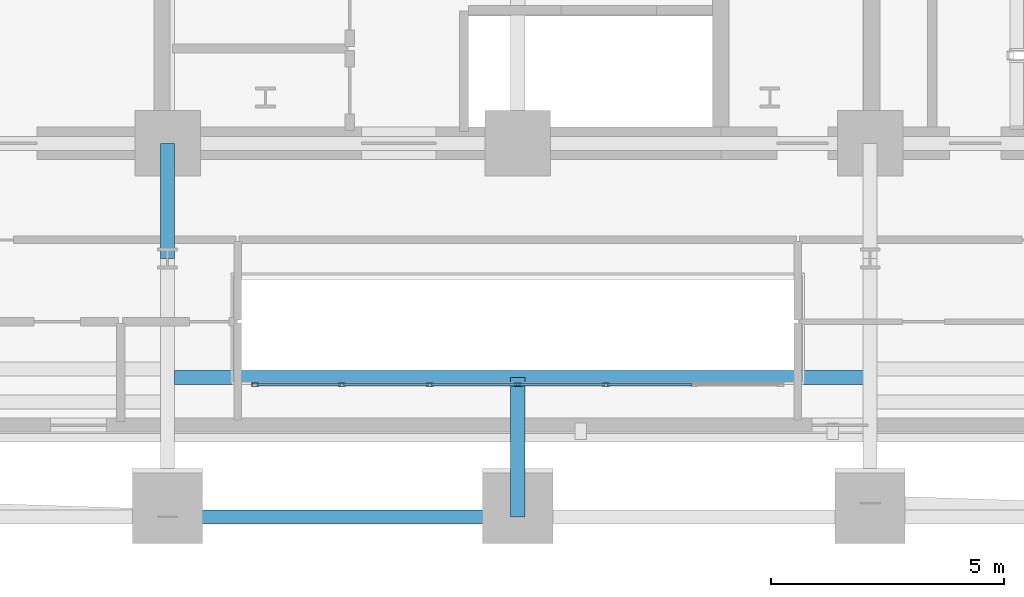
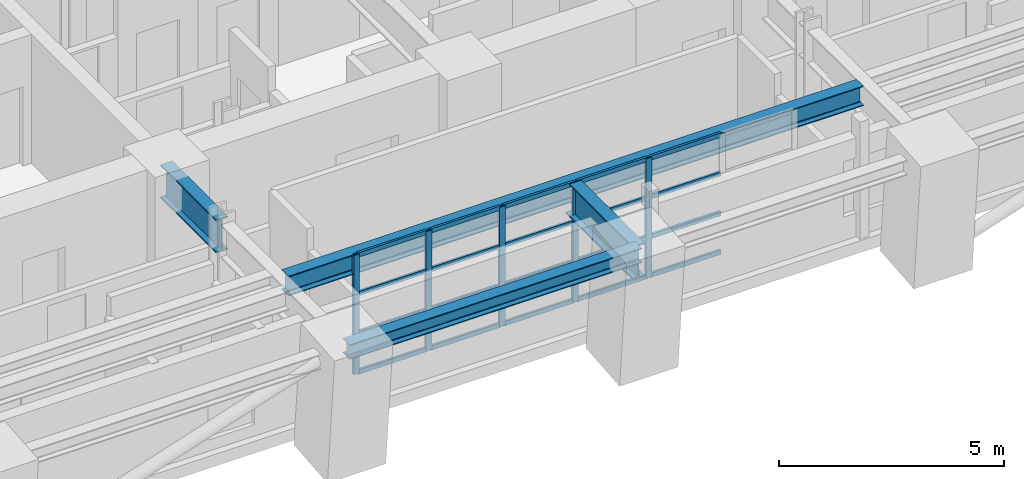
# One storey, part 2 of 15: 25 members, 4 beams, 1 element without a shape of its own.
"""IFC4 building model written with IfcOpenShell, lengths in metres."""

from ifc_helpers import new_model, si_unit, direction, frame, origin, origin_2d, place, context, subcontext, project, spatial, hollow_rectangle, i_section, extrude, material, layer, layer_set, material_profile, profile_set, type_object, element, aggregate, save


model = new_model("IFC4")

# Units and contexts
model_context = context("Model", 3, precision=1e-05, world=origin(), true_north=direction((0.0, 1.0)))
body_context = subcontext(model_context, "Body", "Model", "MODEL_VIEW")
ifc_project = project(units=[si_unit("LENGTHUNIT", "METRE"), si_unit("AREAUNIT", "SQUARE_METRE"), si_unit("VOLUMEUNIT", "CUBIC_METRE"), si_unit("PLANEANGLEUNIT", "RADIAN"), si_unit("MASSUNIT", "GRAM", prefix="KILO")], contexts=[model_context])

# Site, building, storey
site_placement = place(None, origin())
site = spatial("IfcSite", under=ifc_project, at=site_placement, CompositionType="ELEMENT")
building_placement = place(site_placement, origin())
building = spatial("IfcBuilding", under=site, at=building_placement, Name="Zarnavel Station Tower", CompositionType="ELEMENT")
storey_placement = place(building_placement, frame((0.0, 0.0, 67.5)))
storey = spatial("IfcBuildingStorey", under=building, at=storey_placement, Name="L18", CompositionType="ELEMENT", Elevation=67.5)

# Curtain wall, members
ifc_material_1 = material(Name="Aluminium Dark Anodised and Solar-Control Glass", Category="aluminium")
ifc_layer = layer(ifc_material_1, 0.179931640625)
ifc_layer_set = layer_set([ifc_layer], Name="CWS2")
curtain_wall_type = type_object("IfcCurtainWallType", Name="CWS2", PredefinedType="NOTDEFINED", material=ifc_layer_set)
curtain_wall_placement = place(storey_placement, origin())
curtain_wall = element("IfcCurtainWall", 1, at=curtain_wall_placement, inside=storey, type_object=curtain_wall_type, Name="L18 Curtain Wall CWS2-L18-AS", PredefinedType="NOTDEFINED")
ifc_material_2 = material(Name="Steel S355J2 (Black Fluoropolymer Coated)", Category="steel")
ifc_material_profile_1 = material_profile(ifc_material_2, hollow_rectangle(XDim=0.074951171875, YDim=0.14990234375, WallThickness=0.00634765625, at=origin_2d()), Name="RHS150x75x6.3")
ifc_profile_set_1 = profile_set([ifc_material_profile_1], Name="Steel S355J2 (Black Fluoropolymer Coated)")
member_type_1 = type_object("IfcMemberType", Name="CWS2_MUL", PredefinedType="MULLION", material=ifc_profile_set_1)
member_1_placement = place(storey_placement, frame((23.179931640625, 22.64990234375, 0.0), z_axis=(0.0, 0.0, 1.0), x_axis=(0.0, 1.0, 0.0)))
member_1 = element("IfcMember", 2, at=member_1_placement, type_object=member_type_1, Name="CW2 mullion 1", PredefinedType="MULLION", context=body_context, shape_type="SweptSolid", body=[
    extrude(hollow_rectangle(XDim=0.074951171875, YDim=0.14990234375, WallThickness=0.00634765625, at=origin_2d()), origin(), (0.0, 0.0, 1.0), 3.239990234375),
])
member_2_placement = place(storey_placement, frame((25.033447265625, 22.64990234375, 0.0), z_axis=(0.0, 0.0, 1.0), x_axis=(0.0, 1.0, 0.0)))
member_2 = element("IfcMember", 3, at=member_2_placement, type_object=member_type_1, Name="CW2 mullion 2", PredefinedType="MULLION", context=body_context, shape_type="SweptSolid", body=[
    extrude(hollow_rectangle(XDim=0.074951171875, YDim=0.14990234375, WallThickness=0.00634765625, at=origin_2d()), origin(), (0.0, 0.0, 1.0), 3.239990234375),
])
member_3_placement = place(storey_placement, frame((26.916748046875, 22.64990234375, 0.0), z_axis=(0.0, 0.0, 1.0), x_axis=(0.0, 1.0, 0.0)))
member_3 = element("IfcMember", 4, at=member_3_placement, type_object=member_type_1, Name="CW2 mullion 3", PredefinedType="MULLION", context=body_context, shape_type="SweptSolid", body=[
    extrude(hollow_rectangle(XDim=0.074951171875, YDim=0.14990234375, WallThickness=0.00634765625, at=origin_2d()), origin(), (0.0, 0.0, 1.0), 3.239990234375),
])
member_4_placement = place(storey_placement, frame((28.800048828125, 22.64990234375, 0.0), z_axis=(0.0, 0.0, 1.0), x_axis=(0.0, 1.0, 0.0)))
member_4 = element("IfcMember", 5, at=member_4_placement, type_object=member_type_1, Name="CW2 mullion 4", PredefinedType="MULLION", context=body_context, shape_type="SweptSolid", body=[
    extrude(hollow_rectangle(XDim=0.074951171875, YDim=0.14990234375, WallThickness=0.00634765625, at=origin_2d()), origin(), (0.0, 0.0, 1.0), 3.239990234375),
])
member_5_placement = place(storey_placement, frame((30.683349609375, 22.64990234375, 0.0), z_axis=(0.0, 0.0, 1.0), x_axis=(0.0, 1.0, 0.0)))
member_5 = element("IfcMember", 6, at=member_5_placement, type_object=member_type_1, Name="CW2 mullion 5", PredefinedType="MULLION", context=body_context, shape_type="SweptSolid", body=[
    extrude(hollow_rectangle(XDim=0.074951171875, YDim=0.14990234375, WallThickness=0.00634765625, at=origin_2d()), origin(), (0.0, 0.0, 1.0), 3.239990234375),
])
ifc_material_3 = material(Name="Steel S355J2 (Black Fluoropolymer Coated)", Category="steel")
ifc_material_profile_2 = material_profile(ifc_material_3, hollow_rectangle(XDim=0.06005859375, YDim=0.1201171875, WallThickness=0.0048828125, at=origin_2d()), Name="RHS120x60x5")
ifc_profile_set_2 = profile_set([ifc_material_profile_2], Name="Steel S355J2 (Black Fluoropolymer Coated)")
member_type_2 = type_object("IfcMemberType", Name="CWS2_TRN", PredefinedType="USERDEFINED", material=ifc_profile_set_2)
member_6_placement = place(storey_placement, frame((23.2099609375, 22.64990234375, 0.030029296875), z_axis=(1.0, 0.0, 0.0), x_axis=(0.0, 1.0, 0.0)))
member_6 = element("IfcMember", 7, at=member_6_placement, type_object=member_type_2, Name="CW2 transom 1.1", ObjectType="TRANSOM", PredefinedType="USERDEFINED", context=body_context, shape_type="SweptSolid", body=[
    extrude(hollow_rectangle(XDim=0.06005859375, YDim=0.1201171875, WallThickness=0.0048828125, at=origin_2d()), origin(), (0.0, 0.0, 1.0), 1.79345703125),
])
member_7_placement = place(storey_placement, frame((23.2099609375, 22.64990234375, 1.080078125), z_axis=(1.0, 0.0, 0.0), x_axis=(0.0, 1.0, 0.0)))
member_7 = element("IfcMember", 8, at=member_7_placement, type_object=member_type_2, Name="CW2 transom 1.2", ObjectType="TRANSOM", PredefinedType="USERDEFINED", context=body_context, shape_type="SweptSolid", body=[
    extrude(hollow_rectangle(XDim=0.06005859375, YDim=0.1201171875, WallThickness=0.0048828125, at=origin_2d()), origin(), (0.0, 0.0, 1.0), 1.79345703125),
])
member_8_placement = place(storey_placement, frame((23.2099609375, 22.64990234375, 2.159912109375), z_axis=(1.0, 0.0, 0.0), x_axis=(0.0, 1.0, 0.0)))
member_8 = element("IfcMember", 9, at=member_8_placement, type_object=member_type_2, Name="CW2 transom 1.3", ObjectType="TRANSOM", PredefinedType="USERDEFINED", context=body_context, shape_type="SweptSolid", body=[
    extrude(hollow_rectangle(XDim=0.06005859375, YDim=0.1201171875, WallThickness=0.0048828125, at=origin_2d()), origin(), (0.0, 0.0, 1.0), 1.79345703125),
])
member_9_placement = place(storey_placement, frame((23.2099609375, 22.64990234375, 3.2099609375), z_axis=(1.0, 0.0, 0.0), x_axis=(0.0, 1.0, 0.0)))
member_9 = element("IfcMember", 10, at=member_9_placement, type_object=member_type_2, Name="CW2 transom 1.4", ObjectType="TRANSOM", PredefinedType="USERDEFINED", context=body_context, shape_type="SweptSolid", body=[
    extrude(hollow_rectangle(XDim=0.06005859375, YDim=0.1201171875, WallThickness=0.0048828125, at=origin_2d()), origin(), (0.0, 0.0, 1.0), 1.79345703125),
])
member_10_placement = place(storey_placement, frame((25.063232421875, 22.64990234375, 0.030029296875), z_axis=(1.0, 0.0, 0.0), x_axis=(0.0, 1.0, 0.0)))
member_10 = element("IfcMember", 11, at=member_10_placement, type_object=member_type_2, Name="CW2 transom 2.1", ObjectType="TRANSOM", PredefinedType="USERDEFINED", context=body_context, shape_type="SweptSolid", body=[
    extrude(hollow_rectangle(XDim=0.06005859375, YDim=0.1201171875, WallThickness=0.0048828125, at=origin_2d()), origin(), (0.0, 0.0, 1.0), 1.823486328125),
])
member_11_placement = place(storey_placement, frame((25.063232421875, 22.64990234375, 1.080078125), z_axis=(1.0, 0.0, 0.0), x_axis=(0.0, 1.0, 0.0)))
member_11 = element("IfcMember", 12, at=member_11_placement, type_object=member_type_2, Name="CW2 transom 2.2", ObjectType="TRANSOM", PredefinedType="USERDEFINED", context=body_context, shape_type="SweptSolid", body=[
    extrude(hollow_rectangle(XDim=0.06005859375, YDim=0.1201171875, WallThickness=0.0048828125, at=origin_2d()), origin(), (0.0, 0.0, 1.0), 1.823486328125),
])
member_12_placement = place(storey_placement, frame((25.063232421875, 22.64990234375, 2.159912109375), z_axis=(1.0, 0.0, 0.0), x_axis=(0.0, 1.0, 0.0)))
member_12 = element("IfcMember", 13, at=member_12_placement, type_object=member_type_2, Name="CW2 transom 2.3", ObjectType="TRANSOM", PredefinedType="USERDEFINED", context=body_context, shape_type="SweptSolid", body=[
    extrude(hollow_rectangle(XDim=0.06005859375, YDim=0.1201171875, WallThickness=0.0048828125, at=origin_2d()), origin(), (0.0, 0.0, 1.0), 1.823486328125),
])
member_13_placement = place(storey_placement, frame((25.063232421875, 22.64990234375, 3.2099609375), z_axis=(1.0, 0.0, 0.0), x_axis=(0.0, 1.0, 0.0)))
member_13 = element("IfcMember", 14, at=member_13_placement, type_object=member_type_2, Name="CW2 transom 2.4", ObjectType="TRANSOM", PredefinedType="USERDEFINED", context=body_context, shape_type="SweptSolid", body=[
    extrude(hollow_rectangle(XDim=0.06005859375, YDim=0.1201171875, WallThickness=0.0048828125, at=origin_2d()), origin(), (0.0, 0.0, 1.0), 1.823486328125),
])
member_14_placement = place(storey_placement, frame((26.94677734375, 22.64990234375, 0.030029296875), z_axis=(1.0, 0.0, 0.0), x_axis=(0.0, 1.0, 0.0)))
member_14 = element("IfcMember", 15, at=member_14_placement, type_object=member_type_2, Name="CW2 transom 3.1", ObjectType="TRANSOM", PredefinedType="USERDEFINED", context=body_context, shape_type="SweptSolid", body=[
    extrude(hollow_rectangle(XDim=0.06005859375, YDim=0.1201171875, WallThickness=0.0048828125, at=origin_2d()), origin(), (0.0, 0.0, 1.0), 1.8232421875),
])
member_15_placement = place(storey_placement, frame((26.94677734375, 22.64990234375, 1.080078125), z_axis=(1.0, 0.0, 0.0), x_axis=(0.0, 1.0, 0.0)))
member_15 = element("IfcMember", 16, at=member_15_placement, type_object=member_type_2, Name="CW2 transom 3.2", ObjectType="TRANSOM", PredefinedType="USERDEFINED", context=body_context, shape_type="SweptSolid", body=[
    extrude(hollow_rectangle(XDim=0.06005859375, YDim=0.1201171875, WallThickness=0.0048828125, at=origin_2d()), origin(), (0.0, 0.0, 1.0), 1.8232421875),
])
member_16_placement = place(storey_placement, frame((26.94677734375, 22.64990234375, 2.159912109375), z_axis=(1.0, 0.0, 0.0), x_axis=(0.0, 1.0, 0.0)))
member_16 = element("IfcMember", 17, at=member_16_placement, type_object=member_type_2, Name="CW2 transom 3.3", ObjectType="TRANSOM", PredefinedType="USERDEFINED", context=body_context, shape_type="SweptSolid", body=[
    extrude(hollow_rectangle(XDim=0.06005859375, YDim=0.1201171875, WallThickness=0.0048828125, at=origin_2d()), origin(), (0.0, 0.0, 1.0), 1.8232421875),
])
member_17_placement = place(storey_placement, frame((26.94677734375, 22.64990234375, 3.2099609375), z_axis=(1.0, 0.0, 0.0), x_axis=(0.0, 1.0, 0.0)))
member_17 = element("IfcMember", 18, at=member_17_placement, type_object=member_type_2, Name="CW2 transom 3.4", ObjectType="TRANSOM", PredefinedType="USERDEFINED", context=body_context, shape_type="SweptSolid", body=[
    extrude(hollow_rectangle(XDim=0.06005859375, YDim=0.1201171875, WallThickness=0.0048828125, at=origin_2d()), origin(), (0.0, 0.0, 1.0), 1.8232421875),
])
member_18_placement = place(storey_placement, frame((28.830078125, 22.64990234375, 0.030029296875), z_axis=(1.0, 0.0, 0.0), x_axis=(0.0, 1.0, 0.0)))
member_18 = element("IfcMember", 19, at=member_18_placement, type_object=member_type_2, Name="CW2 transom 4.1", ObjectType="TRANSOM", PredefinedType="USERDEFINED", context=body_context, shape_type="SweptSolid", body=[
    extrude(hollow_rectangle(XDim=0.06005859375, YDim=0.1201171875, WallThickness=0.0048828125, at=origin_2d()), origin(), (0.0, 0.0, 1.0), 1.8232421875),
])
member_19_placement = place(storey_placement, frame((28.830078125, 22.64990234375, 1.080078125), z_axis=(1.0, 0.0, 0.0), x_axis=(0.0, 1.0, 0.0)))
member_19 = element("IfcMember", 20, at=member_19_placement, type_object=member_type_2, Name="CW2 transom 4.2", ObjectType="TRANSOM", PredefinedType="USERDEFINED", context=body_context, shape_type="SweptSolid", body=[
    extrude(hollow_rectangle(XDim=0.06005859375, YDim=0.1201171875, WallThickness=0.0048828125, at=origin_2d()), origin(), (0.0, 0.0, 1.0), 1.8232421875),
])
member_20_placement = place(storey_placement, frame((28.830078125, 22.64990234375, 2.159912109375), z_axis=(1.0, 0.0, 0.0), x_axis=(0.0, 1.0, 0.0)))
member_20 = element("IfcMember", 21, at=member_20_placement, type_object=member_type_2, Name="CW2 transom 4.3", ObjectType="TRANSOM", PredefinedType="USERDEFINED", context=body_context, shape_type="SweptSolid", body=[
    extrude(hollow_rectangle(XDim=0.06005859375, YDim=0.1201171875, WallThickness=0.0048828125, at=origin_2d()), origin(), (0.0, 0.0, 1.0), 1.8232421875),
])
member_21_placement = place(storey_placement, frame((28.830078125, 22.64990234375, 3.2099609375), z_axis=(1.0, 0.0, 0.0), x_axis=(0.0, 1.0, 0.0)))
member_21 = element("IfcMember", 22, at=member_21_placement, type_object=member_type_2, Name="CW2 transom 4.4", ObjectType="TRANSOM", PredefinedType="USERDEFINED", context=body_context, shape_type="SweptSolid", body=[
    extrude(hollow_rectangle(XDim=0.06005859375, YDim=0.1201171875, WallThickness=0.0048828125, at=origin_2d()), origin(), (0.0, 0.0, 1.0), 1.8232421875),
])
member_22_placement = place(storey_placement, frame((30.71337890625, 22.64990234375, 0.030029296875), z_axis=(1.0, 0.0, 0.0), x_axis=(0.0, 1.0, 0.0)))
member_22 = element("IfcMember", 23, at=member_22_placement, type_object=member_type_2, Name="CW2 transom 5.1", ObjectType="TRANSOM", PredefinedType="USERDEFINED", context=body_context, shape_type="SweptSolid", body=[
    extrude(hollow_rectangle(XDim=0.06005859375, YDim=0.1201171875, WallThickness=0.0048828125, at=origin_2d()), origin(), (0.0, 0.0, 1.0), 1.8232421875),
])
member_23_placement = place(storey_placement, frame((30.71337890625, 22.64990234375, 1.080078125), z_axis=(1.0, 0.0, 0.0), x_axis=(0.0, 1.0, 0.0)))
member_23 = element("IfcMember", 24, at=member_23_placement, type_object=member_type_2, Name="CW2 transom 5.2", ObjectType="TRANSOM", PredefinedType="USERDEFINED", context=body_context, shape_type="SweptSolid", body=[
    extrude(hollow_rectangle(XDim=0.06005859375, YDim=0.1201171875, WallThickness=0.0048828125, at=origin_2d()), origin(), (0.0, 0.0, 1.0), 1.8232421875),
])
member_24_placement = place(storey_placement, frame((30.71337890625, 22.64990234375, 2.159912109375), z_axis=(1.0, 0.0, 0.0), x_axis=(0.0, 1.0, 0.0)))
member_24 = element("IfcMember", 25, at=member_24_placement, type_object=member_type_2, Name="CW2 transom 5.3", ObjectType="TRANSOM", PredefinedType="USERDEFINED", context=body_context, shape_type="SweptSolid", body=[
    extrude(hollow_rectangle(XDim=0.06005859375, YDim=0.1201171875, WallThickness=0.0048828125, at=origin_2d()), origin(), (0.0, 0.0, 1.0), 1.8232421875),
])
member_25_placement = place(storey_placement, frame((30.71337890625, 22.64990234375, 3.2099609375), z_axis=(1.0, 0.0, 0.0), x_axis=(0.0, 1.0, 0.0)))
member_25 = element("IfcMember", 26, at=member_25_placement, type_object=member_type_2, Name="CW2 transom 5.4", ObjectType="TRANSOM", PredefinedType="USERDEFINED", context=body_context, shape_type="SweptSolid", body=[
    extrude(hollow_rectangle(XDim=0.06005859375, YDim=0.1201171875, WallThickness=0.0048828125, at=origin_2d()), origin(), (0.0, 0.0, 1.0), 1.8232421875),
])
aggregate(curtain_wall, [member_1, member_2, member_3, member_4, member_5, member_6, member_7, member_8, member_9, member_10, member_11, member_12, member_13, member_14, member_15, member_16, member_17, member_18, member_19, member_20, member_21, member_22, member_23, member_24, member_25])

# Beams
ifc_material_4 = material(Name="Steel S355J2", Category="steel")
ifc_material_profile_3 = material_profile(ifc_material_4, i_section(OverallWidth=0.300048828125, OverallDepth=0.39990234375, WebThickness=0.013427734375, FlangeThickness=0.02392578125, FilletRadius=0.027099609375, at=origin_2d()), Name="HEB400")
ifc_profile_set_3 = profile_set([ifc_material_profile_3], Name="Steel S355J2")
beam_type_1 = type_object("IfcBeamType", Name="EB_HEB400", PredefinedType="SPANDREL", material=ifc_profile_set_3)
beam_1_placement = place(storey_placement, frame((21.300048828125, 19.8173828125, 3.0400390625), z_axis=(1.0, 0.0, 0.0), x_axis=(0.0, 1.0, 0.0)))
element("IfcBeam", 27, at=beam_1_placement, inside=storey, type_object=beam_type_1, Name="L18 South Raked Spandrel 2", PredefinedType="SPANDREL", context=body_context, shape_type="SweptSolid", body=[
    extrude(i_section(OverallWidth=0.300048828125, OverallDepth=0.39990234375, WebThickness=0.013427734375, FlangeThickness=0.02392578125, FilletRadius=0.027099609375, at=origin_2d()), origin(), (0.0, 0.0, 1.0), 7.5),
])
ifc_material_5 = material(Name="Steel S355J2", Category="steel")
ifc_material_profile_4 = material_profile(ifc_material_5, i_section(OverallWidth=0.300048828125, OverallDepth=0.5400390625, WebThickness=0.012451171875, FlangeThickness=0.02392578125, FilletRadius=0.027099609375, at=origin_2d()), Name="HEA550")
ifc_profile_set_4 = profile_set([ifc_material_profile_4], Name="Steel S355J2")
beam_type_2 = type_object("IfcBeamType", Name="FB_HEA550", PredefinedType="BEAM", material=ifc_profile_set_4)
beam_2_placement = place(storey_placement, frame((21.445068359375, 22.800048828125, 2.969970703125), z_axis=(1.0, 0.0, 0.0), x_axis=(0.0, 1.0, 0.0)))
element("IfcBeam", 28, at=beam_2_placement, inside=storey, type_object=beam_type_2, Name="L18 Atrium South Edge Girder", PredefinedType="BEAM", context=body_context, shape_type="SweptSolid", body=[
    extrude(i_section(OverallWidth=0.300048828125, OverallDepth=0.5400390625, WebThickness=0.012451171875, FlangeThickness=0.02392578125, FilletRadius=0.027099609375, at=origin_2d()), origin(), (0.0, 0.0, 1.0), 14.760009765625),
])
ifc_material_6 = material(Name="Steel S460M", Category="steel")
ifc_material_profile_5 = material_profile(ifc_material_6, i_section(OverallWidth=0.302001953125, OverallDepth=0.909912109375, WebThickness=0.02099609375, FlangeThickness=0.0400390625, FilletRadius=0.030029296875, at=origin_2d()), Name="HEM900")
ifc_profile_set_5 = profile_set([ifc_material_profile_5], Name="Steel S460M")
beam_type_3 = type_object("IfcBeamType", Name="TG_HEM900", PredefinedType="USERDEFINED", material=ifc_profile_set_5)
beam_3_placement = place(storey_placement, frame((21.300048828125, 25.35009765625, 2.784912109375), z_axis=(0.0, 1.0, 0.0), x_axis=(-1.0, 0.0, 0.0)))
element("IfcBeam", 29, at=beam_3_placement, inside=storey, type_object=beam_type_3, Name="L18 Inner-Zone NS Girder 2", ObjectType="GIRDER", PredefinedType="USERDEFINED", context=body_context, shape_type="SweptSolid", body=[
    extrude(i_section(OverallWidth=0.302001953125, OverallDepth=0.909912109375, WebThickness=0.02099609375, FlangeThickness=0.0400390625, FilletRadius=0.030029296875, at=origin_2d()), origin(), (0.0, 0.0, 1.0), 2.469970703125),
])
beam_4_placement = place(storey_placement, frame((28.800048828125, 19.8173828125, 2.784912109375), z_axis=(0.0, 1.0, 0.0), x_axis=(-1.0, 0.0, 0.0)))
element("IfcBeam", 30, at=beam_4_placement, inside=storey, type_object=beam_type_3, Name="L18 Central Atrium-South Girder", ObjectType="GIRDER", PredefinedType="USERDEFINED", context=body_context, shape_type="SweptSolid", body=[
    extrude(i_section(OverallWidth=0.302001953125, OverallDepth=0.909912109375, WebThickness=0.02099609375, FlangeThickness=0.0400390625, FilletRadius=0.030029296875, at=origin_2d()), origin(), (0.0, 0.0, 1.0), 2.982666015625),
])

save(model, "model.ifc")
